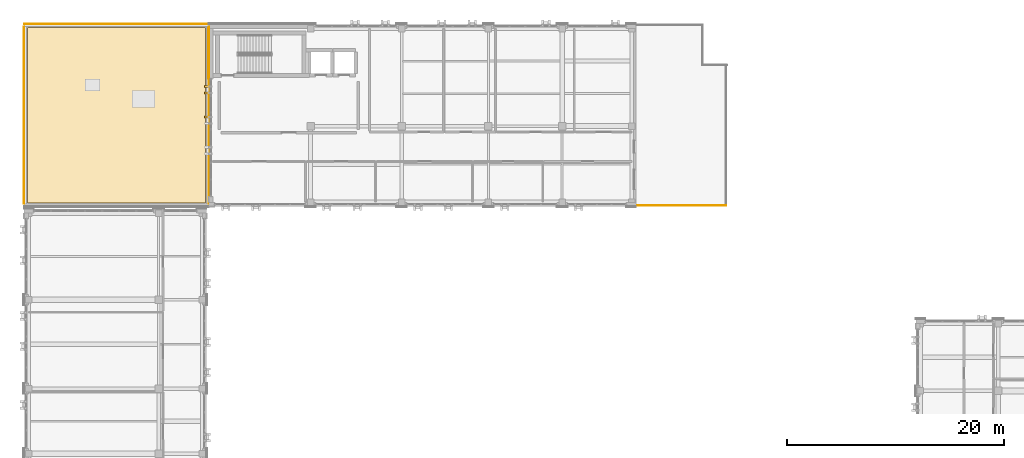
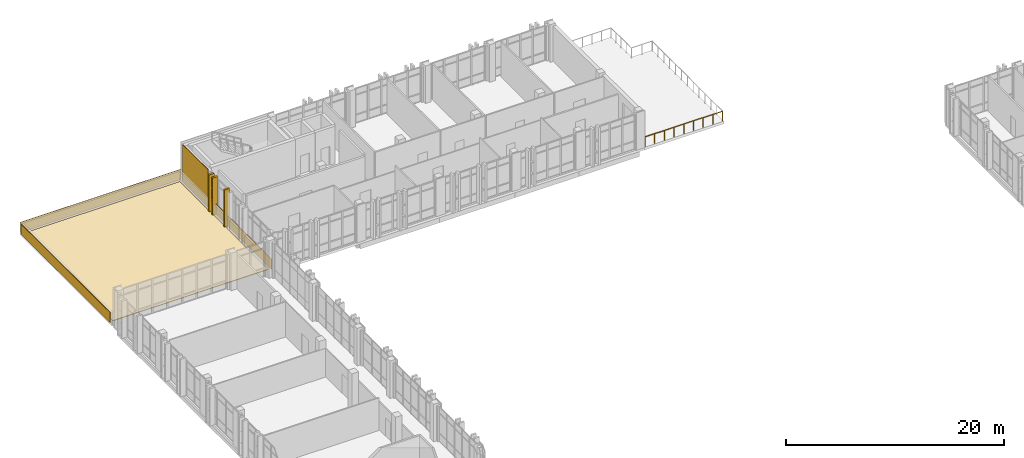
# One storey, part 83 of 90: 8 coverings, 1 railing.
"""IFC4 building model written with IfcOpenShell, lengths in metres."""

from ifc_helpers import new_model, si_unit, direction, frame, origin, origin_2d, place, context, subcontext, project, spatial, polyline, rectangle, circle, outline, extrude, material, layer, layer_set, type_object, element, save


model = new_model("IFC4")

# Units and contexts
model_context = context("Model", 3, precision=1e-05, world=origin(), true_north=direction((0.0, 1.0)))
body_context = subcontext(model_context, "Body", "Model", "MODEL_VIEW")
ifc_project = project(units=[si_unit("LENGTHUNIT", "METRE"), si_unit("AREAUNIT", "SQUARE_METRE"), si_unit("VOLUMEUNIT", "CUBIC_METRE"), si_unit("PLANEANGLEUNIT", "RADIAN"), si_unit("MASSUNIT", "GRAM", prefix="KILO")], contexts=[model_context])

# Site, building, storey
site_placement = place(None, origin())
site = spatial("IfcSite", under=ifc_project, at=site_placement, CompositionType="ELEMENT")
building_placement = place(site_placement, origin())
building = spatial("IfcBuilding", under=site, at=building_placement, Name="Qalavern Law Courts", CompositionType="ELEMENT")
storey_placement = place(building_placement, frame((0.0, 0.0, 22.800048828125)))
storey = spatial("IfcBuildingStorey", under=building, at=storey_placement, Name="L05", CompositionType="ELEMENT", Elevation=22.800048828125)

# Railing
ifc_material_1 = material(Name="Steel S355", Category="steel")
railing_type = type_object("IfcRailingType", Name="ENV-BAL-1120", PredefinedType="BALUSTRADE", material=ifc_material_1)
railing_placement = place(storey_placement, frame((58.5, 96.280029296875, 0.0)))
element("IfcRailing", 1, at=railing_placement, inside=storey, type_object=railing_type, Name="V5 outdoor terrace safety guard L05-1", PredefinedType="BALUSTRADE", context=body_context, shape_type="SweptSolid", body=[
    extrude(circle(Radius=0.02392578125, at=origin_2d()), frame((0.0, 0.0, 1.09619140625), z_axis=(1.0, 0.0, 0.0), x_axis=(0.0, 1.0, 0.0)), (0.0, 0.0, 1.0), 8.219970703125),
    extrude(circle(Radius=0.02099609375, at=origin_2d()), origin(), (0.0, 0.0, 1.0), 1.072021484375),
    extrude(circle(Radius=0.02099609375, at=origin_2d()), frame((1.027587890625, 0.0, 0.0)), (0.0, 0.0, 1.0), 1.072021484375),
    extrude(circle(Radius=0.02099609375, at=origin_2d()), frame((2.054931640625, 0.0, 0.0)), (0.0, 0.0, 1.0), 1.072021484375),
    extrude(circle(Radius=0.02099609375, at=origin_2d()), frame((3.08251953125, 0.0, 0.0)), (0.0, 0.0, 1.0), 1.072021484375),
    extrude(circle(Radius=0.02099609375, at=origin_2d()), frame((4.10986328125, 0.0, 0.0)), (0.0, 0.0, 1.0), 1.072021484375),
    extrude(circle(Radius=0.02099609375, at=origin_2d()), frame((5.137451171875, 0.0, 0.0)), (0.0, 0.0, 1.0), 1.072021484375),
    extrude(circle(Radius=0.02099609375, at=origin_2d()), frame((6.1650390625, 0.0, 0.0)), (0.0, 0.0, 1.0), 1.072021484375),
    extrude(circle(Radius=0.02099609375, at=origin_2d()), frame((7.1923828125, 0.0, 0.0)), (0.0, 0.0, 1.0), 1.072021484375),
    extrude(circle(Radius=0.02099609375, at=origin_2d()), frame((8.219970703125, 0.0, 0.0)), (0.0, 0.0, 1.0), 1.072021484375),
])

# Coverings
ifc_material_2 = material(Name="Precast concrete C40/50", Category="concrete")
ifc_layer_1 = layer(ifc_material_2, 0.199951171875)
ifc_layer_set_1 = layer_set([ifc_layer_1], Name="Precast concrete C40/50")
covering_type_1 = type_object("IfcCoveringType", Name="ENV-BLD-1", PredefinedType="CLADDING", material=ifc_layer_set_1)
for number, where, z_axis, x_axis, name in (
    (2, (18.902587890625, 107.25, 0.0048828125), (0.0, 0.0, 1.0), (-1.0, 0.0, 0.0), "Absheron stone facade blade 1149"),
    (3, (18.902587890625, 106.64990234375, 0.0048828125), (0.0, 0.0, 1.0), (-1.0, 0.0, 0.0), "Absheron stone facade blade 1150"),
    (4, (18.902587890625, 104.449951171875, 0.0048828125), (0.0, 0.0, 1.0), (-1.0, 0.0, 0.0), "Absheron stone facade blade 1151"),
):
    element("IfcCovering", number, at=place(storey_placement, frame(where, z_axis=z_axis, x_axis=x_axis)), inside=storey, type_object=covering_type_1, Name=name, PredefinedType="CLADDING", context=body_context, shape_type="SweptSolid", body=[
        extrude(rectangle(XDim=0.5400390625, YDim=0.199951171875, at=origin_2d()), origin(), (0.0, 0.0, 1.0), 4.18994140625),
    ])
ifc_layer_2 = layer(ifc_material_2, 0.06005859375)
ifc_layer_set_2 = layer_set([ifc_layer_2], Name="Precast concrete C40/50")
covering_type_2 = type_object("IfcCoveringType", Name="ENV-CLD-1", PredefinedType="CLADDING", material=ifc_layer_set_2)
covering_1_placement = place(storey_placement, frame((19.047119140625, 104.60009765625, 0.0048828125), z_axis=(0.0, 0.0, 1.0), x_axis=(0.0, 1.0, 0.0)))
element("IfcCovering", 5, at=covering_1_placement, inside=storey, type_object=covering_type_2, Name="V5 Absheron limestone parapet coping L05 E", PredefinedType="CLADDING", context=body_context, shape_type="SweptSolid", body=[
    extrude(rectangle(XDim=16.340087890625, YDim=0.06005859375, at=origin_2d()), origin(), (0.0, 0.0, 1.0), 1.139892578125),
])
covering_2_placement = place(storey_placement, frame((10.510009765625, 113.027099609375, 0.0048828125), z_axis=(0.0, 0.0, 1.0), x_axis=(-1.0, 0.0, 0.0)))
element("IfcCovering", 6, at=covering_2_placement, inside=storey, type_object=covering_type_2, Name="V5 Absheron limestone parapet coping L05 N", PredefinedType="CLADDING", context=body_context, shape_type="SweptSolid", body=[
    extrude(rectangle(XDim=17.0, YDim=0.06005859375, at=origin_2d()), origin(), (0.0, 0.0, 1.0), 1.139892578125),
])
covering_3_placement = place(storey_placement, frame((1.972900390625, 104.60009765625, 0.0048828125), z_axis=(0.0, 0.0, 1.0), x_axis=(0.0, -1.0, 0.0)))
element("IfcCovering", 7, at=covering_3_placement, inside=storey, type_object=covering_type_2, Name="V5 Absheron limestone parapet coping L05 W", PredefinedType="CLADDING", context=body_context, shape_type="SweptSolid", body=[
    extrude(rectangle(XDim=16.340087890625, YDim=0.06005859375, at=origin_2d()), origin(), (0.0, 0.0, 1.0), 1.139892578125),
])
ifc_layer_3 = layer(ifc_material_2, 0.072021484375)
ifc_layer_set_3 = layer_set([ifc_layer_3], Name="Precast concrete C40/50")
covering_type_3 = type_object("IfcCoveringType", Name="ENV-CLD-2", PredefinedType="CLADDING", material=ifc_layer_set_3)
covering_4_placement = place(storey_placement, frame((18.987060546875, 110.284912109375, 0.009765625), z_axis=(0.0, 0.0, 1.0), x_axis=(0.0, -1.0, 0.0)))
element("IfcCovering", 8, at=covering_4_placement, inside=storey, type_object=covering_type_3, Name="V5 Absheron limestone pier facing L05 west 1", PredefinedType="CLADDING", context=body_context, shape_type="SweptSolid", body=[
    extrude(rectangle(XDim=4.64990234375, YDim=0.072021484375, at=origin_2d()), origin(), (0.0, 0.0, 1.0), 4.179931640625),
])
ifc_material_3 = material(Name="EPDM waterproofing membrane and rigid thermal insulation")
ifc_layer_4 = layer(ifc_material_3, 0.074951171875)
ifc_layer_set_4 = layer_set([ifc_layer_4], Name="EPDM waterproofing membrane and rigid thermal insulation")
covering_type_4 = type_object("IfcCoveringType", Name="ENV-RFG-1", PredefinedType="ROOFING", material=ifc_layer_set_4)
covering_5_placement = place(storey_placement, origin())
element("IfcCovering", 9, at=covering_5_placement, inside=storey, type_object=covering_type_4, Name="V5 roof waterproofing and insulation L05", PredefinedType="ROOFING", context=body_context, shape_type="SweptSolid", body=[
    extrude(outline(polyline([(2.300048828125, 96.5), (18.719970703125, 96.5), (18.719970703125, 112.699951171875), (2.300048828125, 112.699951171875), (2.300048828125, 96.5)])), origin(), (0.0, 0.0, 1.0), 0.074951171875),
])

save(model, "model.ifc")
